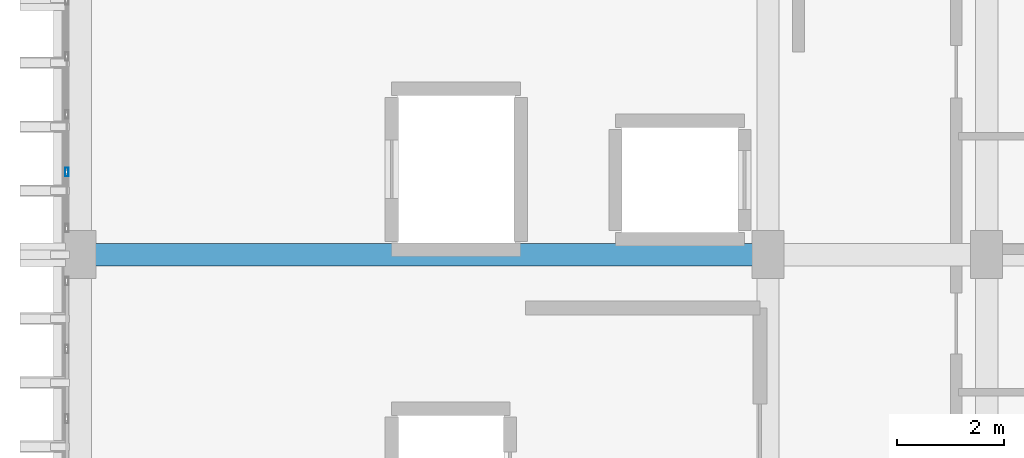
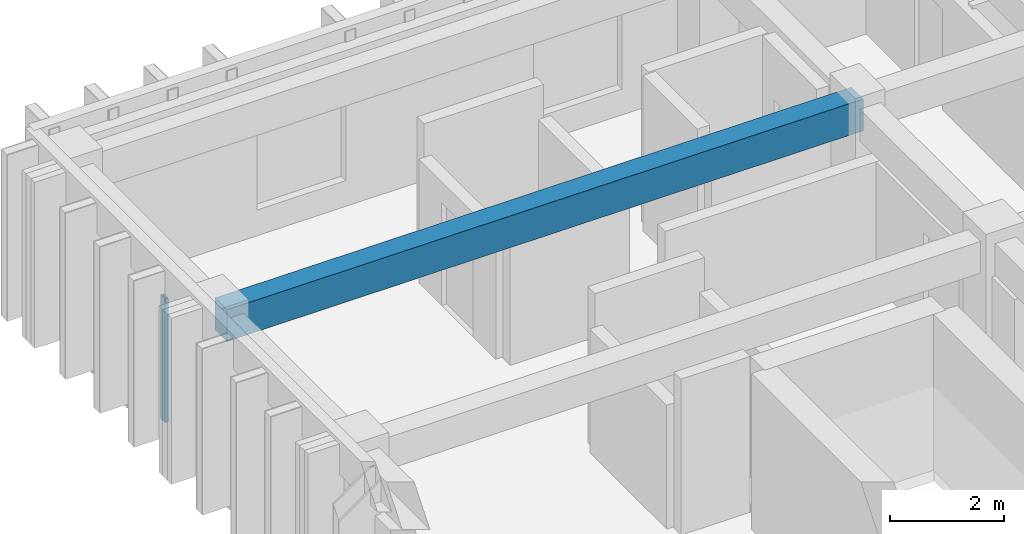
# One storey, part 47 of 82: 1 beam, 1 member, 1 element without a shape of its own.
"""IFC4 building model written with IfcOpenShell, lengths in metres."""

from ifc_helpers import new_model, si_unit, direction, frame, origin, origin_2d, place, context, subcontext, project, spatial, rectangle, hollow_rectangle, extrude, material, layer, layer_set, material_profile, profile_set, type_object, element, aggregate, save


model = new_model("IFC4")

# Units and contexts
model_context = context("Model", 3, precision=1e-05, world=origin(), true_north=direction((0.0, 1.0)))
body_context = subcontext(model_context, "Body", "Model", "MODEL_VIEW")
ifc_project = project(units=[si_unit("LENGTHUNIT", "METRE"), si_unit("AREAUNIT", "SQUARE_METRE"), si_unit("VOLUMEUNIT", "CUBIC_METRE"), si_unit("PLANEANGLEUNIT", "RADIAN"), si_unit("MASSUNIT", "GRAM", prefix="KILO")], contexts=[model_context])

# Site, building, storey
site_placement = place(None, origin())
site = spatial("IfcSite", under=ifc_project, at=site_placement, CompositionType="ELEMENT")
building_placement = place(site_placement, origin())
building = spatial("IfcBuilding", under=site, at=building_placement, Name="Nakhvara Creek Congress Hotel", CompositionType="ELEMENT")
storey_placement = place(building_placement, frame((0.0, 0.0, 21.0)))
storey = spatial("IfcBuildingStorey", under=building, at=storey_placement, Name="L04", CompositionType="ELEMENT", Elevation=21.0)

# Beam
ifc_material_1 = material(Name="Concrete C40/50", Category="concrete")
ifc_material_profile_1 = material_profile(ifc_material_1, rectangle(XDim=0.419921875, YDim=0.679931640625, at=origin_2d()), Name="RC-BM 420x680", Category="LoadBearing")
ifc_profile_set_1 = profile_set([ifc_material_profile_1], Name="Concrete C40/50")
beam_type = type_object("IfcBeamType", Name="BM-RC-420X680", PredefinedType="BEAM", material=ifc_profile_set_1)
beam_placement = place(storey_placement, frame((149.449951171875, 120.0, 3.0), z_axis=(1.0, 0.0, 0.0), x_axis=(0.0, 1.0, 0.0)))
element("IfcBeam", 1, at=beam_placement, inside=storey, type_object=beam_type, Name="Beam B11-L04-2037", PredefinedType="BEAM", context=body_context, shape_type="SweptSolid", body=[
    extrude(rectangle(XDim=0.419921875, YDim=0.679931640625, at=origin_2d()), origin(), (0.0, 0.0, 1.0), 12.900146484375),
])

# Curtain wall, member
ifc_material_2 = material(Name="Bronze-anodised aluminium AW-6063-T6 and double-silver low-E glass", Category="aluminium")
ifc_layer = layer(ifc_material_2, 0.199951171875)
ifc_layer_set = layer_set([ifc_layer], Name="Bronze-anodised aluminium AW-6063-T6 and double-silver low-E glass")
curtain_wall_type = type_object("IfcCurtainWallType", Name="CW-HTL-UNIT", PredefinedType="USERDEFINED", material=ifc_layer_set)
curtain_wall_placement = place(storey_placement, origin())
curtain_wall = element("IfcCurtainWall", 2, at=curtain_wall_placement, inside=storey, type_object=curtain_wall_type, Name="Curtain Wall CW201", ObjectType="UNITISED", PredefinedType="USERDEFINED")
ifc_material_3 = material(Name="Bronze-anodised aluminium AW-6063-T6", Category="aluminium")
ifc_material_profile_2 = material_profile(ifc_material_3, hollow_rectangle(XDim=0.06494140625, YDim=0.159912109375, WallThickness=0.00390625, at=origin_2d()), Name="ALU-MULL 65x160x4", Category="LoadBearing")
ifc_profile_set_2 = profile_set([ifc_material_profile_2], Name="Bronze-anodised aluminium AW-6063-T6")
member_type = type_object("IfcMemberType", Name="CW-MULL-160", PredefinedType="MULLION", material=ifc_profile_set_2)
member_placement = place(storey_placement, frame((149.199951171875, 121.548828125, 0.0), z_axis=(0.0, 0.0, 1.0), x_axis=(-1.0, 0.0, 0.0)))
member = element("IfcMember", 3, at=member_placement, type_object=member_type, Name="CW201 mullion 2", PredefinedType="MULLION", context=body_context, shape_type="SweptSolid", body=[
    extrude(hollow_rectangle(XDim=0.06494140625, YDim=0.159912109375, WallThickness=0.00390625, at=origin_2d()), origin(), (0.0, 0.0, 1.0), 2.652099609375),
])
aggregate(curtain_wall, [member])

save(model, "model.ifc")
